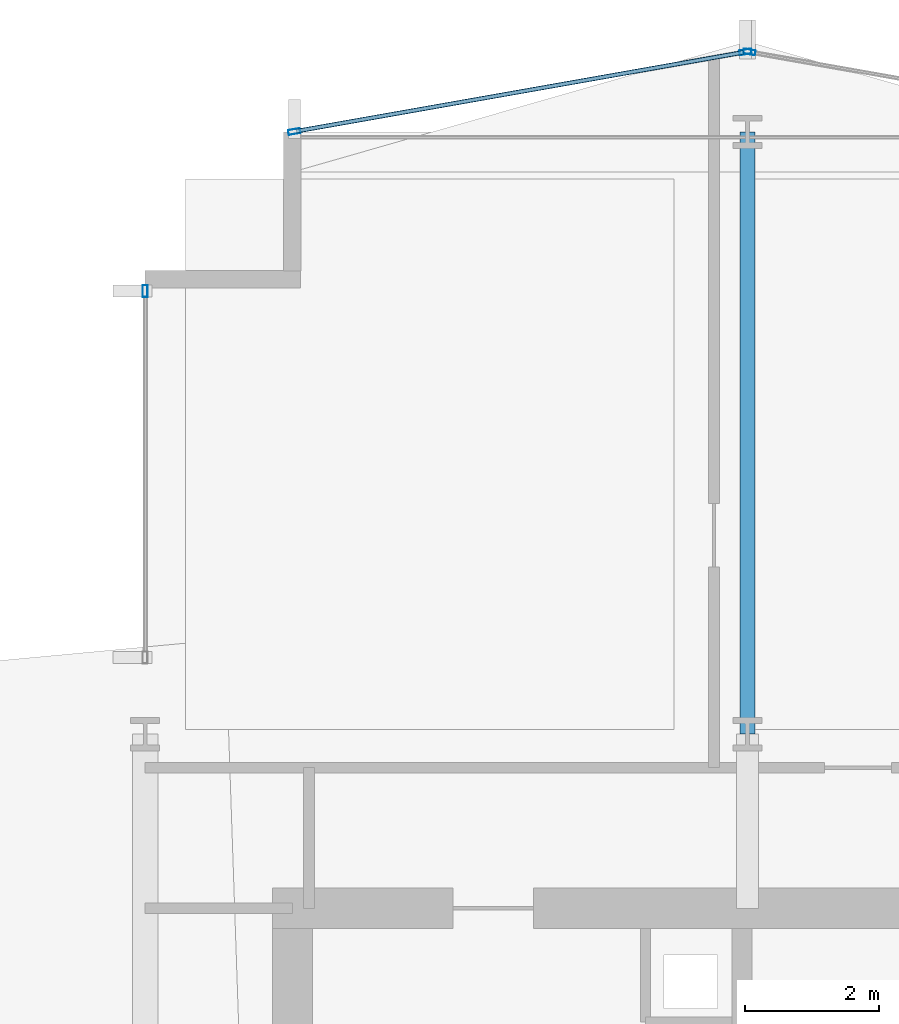
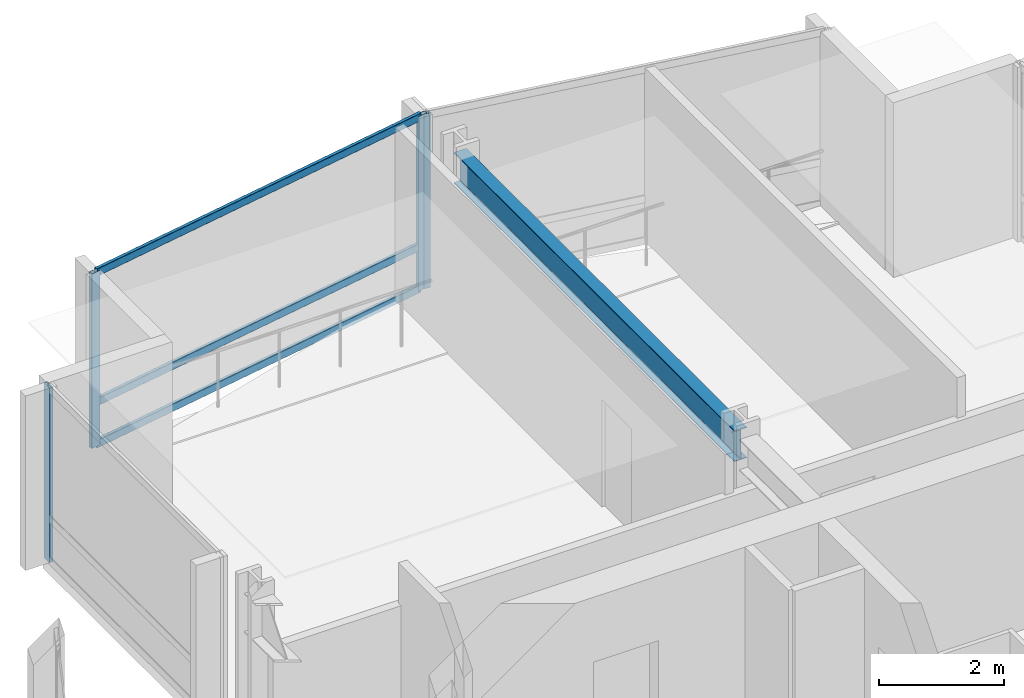
# One storey, part 23 of 34: 7 members, 1 beam, 3 elements without a shape of their own.
"""IFC4 building model written with IfcOpenShell, lengths in metres."""

from ifc_helpers import new_model, si_unit, direction, frame, origin, origin_2d, place, context, subcontext, project, spatial, hollow_rectangle, i_section, extrude, material, layer, layer_set, material_profile, profile_set, type_object, element, aggregate, save


model = new_model("IFC4")

# Units and contexts
model_context = context("Model", 3, precision=1e-05, world=origin(), true_north=direction((0.0, 1.0)))
body_context = subcontext(model_context, "Body", "Model", "MODEL_VIEW")
ifc_project = project(units=[si_unit("LENGTHUNIT", "METRE"), si_unit("AREAUNIT", "SQUARE_METRE"), si_unit("VOLUMEUNIT", "CUBIC_METRE"), si_unit("PLANEANGLEUNIT", "RADIAN"), si_unit("MASSUNIT", "GRAM", prefix="KILO")], contexts=[model_context])

# Site, building, storey
site_placement = place(None, origin())
site = spatial("IfcSite", under=ifc_project, at=site_placement, CompositionType="ELEMENT")
building_placement = place(site_placement, origin())
building = spatial("IfcBuilding", under=site, at=building_placement, Name="Solvaryn Broadcast Tower", CompositionType="ELEMENT")
storey_placement = place(building_placement, frame((0.0, 0.0, 58.199951171875)))
storey = spatial("IfcBuildingStorey", under=building, at=storey_placement, Name="L13", CompositionType="ELEMENT", Elevation=58.199951171875)

# Beam
ifc_material_1 = material(Name="Steel ASTM A992 Grade 50", Category="steel")
ifc_material_profile_1 = material_profile(ifc_material_1, i_section(OverallWidth=0.22802734375, OverallDepth=0.60791015625, WebThickness=0.01123046875, FlangeThickness=0.017333984375, FilletRadius=0.014892578125, at=origin_2d()))
ifc_profile_set_1 = profile_set([ifc_material_profile_1], Name="Steel ASTM A992 Grade 50")
beam_type = type_object("IfcBeamType", Name="BM-B2-W24X76", PredefinedType="BEAM", material=ifc_profile_set_1)
beam_placement = place(storey_placement, frame((18.0, 45.0, 3.115966796875), z_axis=(0.0, 1.0, 0.0), x_axis=(-1.0, 0.0, 0.0)))
element("IfcBeam", 1, at=beam_placement, inside=storey, type_object=beam_type, Name="L13 Primary Beam Y (45-54 @ X=18)", PredefinedType="BEAM", context=body_context, shape_type="SweptSolid", body=[
    extrude(i_section(OverallWidth=0.22802734375, OverallDepth=0.60791015625, WebThickness=0.01123046875, FlangeThickness=0.017333984375, FilletRadius=0.014892578125, at=origin_2d()), origin(), (0.0, 0.0, 1.0), 9.0),
])

# Curtain wall, member
ifc_material_2 = material(Name="Aluminium and Terracotta Unitised Curtain Wall", Category="masonry")
ifc_layer = layer(ifc_material_2, 0.199951171875)
ifc_layer_set = layer_set([ifc_layer], Name="CW-SYS2-LOWMID")
curtain_wall_type = type_object("IfcCurtainWallType", Name="CW-SYS2-LOWMID", PredefinedType="NOTDEFINED", material=ifc_layer_set)
curtain_wall_1_placement = place(storey_placement, origin())
curtain_wall_1 = element("IfcCurtainWall", 2, at=curtain_wall_1_placement, inside=storey, type_object=curtain_wall_type, Name="L13 Curtain Wall W2", PredefinedType="NOTDEFINED")
ifc_material_3 = material(Name="Anodised Aluminium 6063-T6", Category="aluminium")
ifc_material_profile_2 = material_profile(ifc_material_3, hollow_rectangle(XDim=0.074951171875, YDim=0.179931640625, WallThickness=0.00390625, InnerFilletRadius=0.00390625, OuterFilletRadius=0.008056640625, at=origin_2d()))
ifc_profile_set_2 = profile_set([ifc_material_profile_2], Name="Anodised Aluminium 6063-T6")
member_type_1 = type_object("IfcMemberType", Name="CW-MUL-180", PredefinedType="MULLION", material=ifc_profile_set_2)
member_1_placement = place(storey_placement, frame((9.0, 51.6201171875, 0.0), z_axis=(0.0, 0.0, 1.0), x_axis=(-1.0, 0.0, 0.0)))
member_1 = element("IfcMember", 3, at=member_1_placement, type_object=member_type_1, Name="CWS2 mullion 2", PredefinedType="MULLION", context=body_context, shape_type="SweptSolid", body=[
    extrude(hollow_rectangle(XDim=0.074951171875, YDim=0.179931640625, WallThickness=0.00390625, InnerFilletRadius=0.00390625, OuterFilletRadius=0.008056640625, at=origin_2d()), origin(), (0.0, 0.0, 1.0), 3.420166015625),
])
aggregate(curtain_wall_1, [member_1])

curtain_wall_2_placement = place(storey_placement, origin())
curtain_wall_2 = element("IfcCurtainWall", 4, at=curtain_wall_2_placement, inside=storey, type_object=curtain_wall_type, Name="L13 Curtain Wall NT1", PredefinedType="NOTDEFINED")
member_2_placement = place(storey_placement, frame((18.029541015625, 55.19482421875, 0.0), z_axis=(0.0, 0.0, 1.0), x_axis=(-0.173785333901, -0.984783558819, 0.0)))
member_2 = element("IfcMember", 5, at=member_2_placement, type_object=member_type_1, Name="CWS2 mullion 2", PredefinedType="MULLION", context=body_context, shape_type="SweptSolid", body=[
    extrude(hollow_rectangle(XDim=0.074951171875, YDim=0.179931640625, WallThickness=0.00390625, InnerFilletRadius=0.00390625, OuterFilletRadius=0.008056640625, at=origin_2d()), origin(), (0.0, 0.0, 1.0), 3.420166015625),
])
aggregate(curtain_wall_2, [member_2])

# Curtain wall, members
curtain_wall_3_placement = place(storey_placement, origin())
curtain_wall_3 = element("IfcCurtainWall", 6, at=curtain_wall_3_placement, inside=storey, type_object=curtain_wall_type, Name="L13 Curtain Wall NT2", PredefinedType="NOTDEFINED")
member_3_placement = place(storey_placement, frame((17.970458984375, 55.19482421875, 0.0), z_axis=(0.0, 0.0, 1.0), x_axis=(0.173785333901, -0.984783558819, 0.0)))
member_3 = element("IfcMember", 7, at=member_3_placement, type_object=member_type_1, Name="CWS2 mullion 1", PredefinedType="MULLION", context=body_context, shape_type="SweptSolid", body=[
    extrude(hollow_rectangle(XDim=0.074951171875, YDim=0.179931640625, WallThickness=0.00390625, InnerFilletRadius=0.00390625, OuterFilletRadius=0.008056640625, at=origin_2d()), origin(), (0.0, 0.0, 1.0), 3.420166015625),
])
member_4_placement = place(storey_placement, frame((11.2294921875, 54.005126953125, 0.0), z_axis=(0.0, 0.0, 1.0), x_axis=(0.173785333901, -0.984783558819, 0.0)))
member_4 = element("IfcMember", 8, at=member_4_placement, type_object=member_type_1, Name="CWS2 mullion 2", PredefinedType="MULLION", context=body_context, shape_type="SweptSolid", body=[
    extrude(hollow_rectangle(XDim=0.074951171875, YDim=0.179931640625, WallThickness=0.00390625, InnerFilletRadius=0.00390625, OuterFilletRadius=0.008056640625, at=origin_2d()), origin(), (0.0, 0.0, 1.0), 3.420166015625),
])
ifc_material_4 = material(Name="Anodised Aluminium 6063-T6", Category="aluminium")
ifc_material_profile_3 = material_profile(ifc_material_4, hollow_rectangle(XDim=0.06494140625, YDim=0.14990234375, WallThickness=0.00390625, InnerFilletRadius=0.00390625, OuterFilletRadius=0.008056640625, at=origin_2d()))
ifc_profile_set_3 = profile_set([ifc_material_profile_3], Name="Anodised Aluminium 6063-T6")
member_type_2 = type_object("IfcMemberType", Name="CW-TRN-150", PredefinedType="USERDEFINED", material=ifc_profile_set_3)
member_5_placement = place(storey_placement, frame((17.94091796875, 55.189453125, 0.030029296875), z_axis=(-0.984788629673, -0.173756596613, 0.0), x_axis=(0.173756596613, -0.984788629673, 0.0)))
member_5 = element("IfcMember", 9, at=member_5_placement, type_object=member_type_2, Name="CWS2 transom 1.1", ObjectType="TRANSOM", PredefinedType="USERDEFINED", context=body_context, shape_type="SweptSolid", body=[
    extrude(hollow_rectangle(XDim=0.06494140625, YDim=0.14990234375, WallThickness=0.00390625, InnerFilletRadius=0.00390625, OuterFilletRadius=0.008056640625, at=origin_2d()), origin(), (0.0, 0.0, 1.0), 6.78515625),
])
member_6_placement = place(storey_placement, frame((17.94091796875, 55.189453125, 0.85009765625), z_axis=(-0.984788629673, -0.173756596613, 0.0), x_axis=(0.173756596613, -0.984788629673, 0.0)))
member_6 = element("IfcMember", 10, at=member_6_placement, type_object=member_type_2, Name="CWS2 transom 1.2", ObjectType="TRANSOM", PredefinedType="USERDEFINED", context=body_context, shape_type="SweptSolid", body=[
    extrude(hollow_rectangle(XDim=0.06494140625, YDim=0.14990234375, WallThickness=0.00390625, InnerFilletRadius=0.00390625, OuterFilletRadius=0.008056640625, at=origin_2d()), origin(), (0.0, 0.0, 1.0), 6.78515625),
])
member_7_placement = place(storey_placement, frame((17.94091796875, 55.189453125, 3.39013671875), z_axis=(-0.984788629673, -0.173756596613, 0.0), x_axis=(0.173756596613, -0.984788629673, 0.0)))
member_7 = element("IfcMember", 11, at=member_7_placement, type_object=member_type_2, Name="CWS2 transom 1.3", ObjectType="TRANSOM", PredefinedType="USERDEFINED", context=body_context, shape_type="SweptSolid", body=[
    extrude(hollow_rectangle(XDim=0.06494140625, YDim=0.14990234375, WallThickness=0.00390625, InnerFilletRadius=0.00390625, OuterFilletRadius=0.008056640625, at=origin_2d()), origin(), (0.0, 0.0, 1.0), 6.78515625),
])
aggregate(curtain_wall_3, [member_3, member_4, member_5, member_6, member_7])

save(model, "model.ifc")
